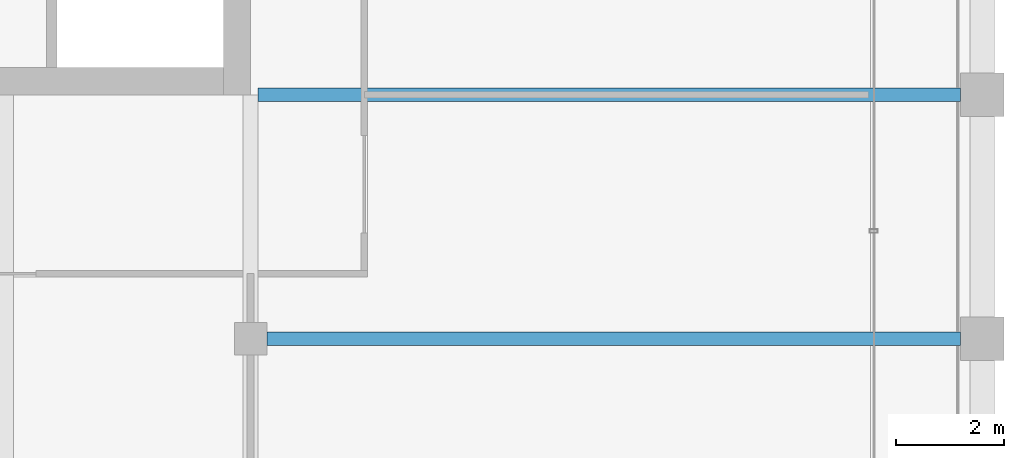
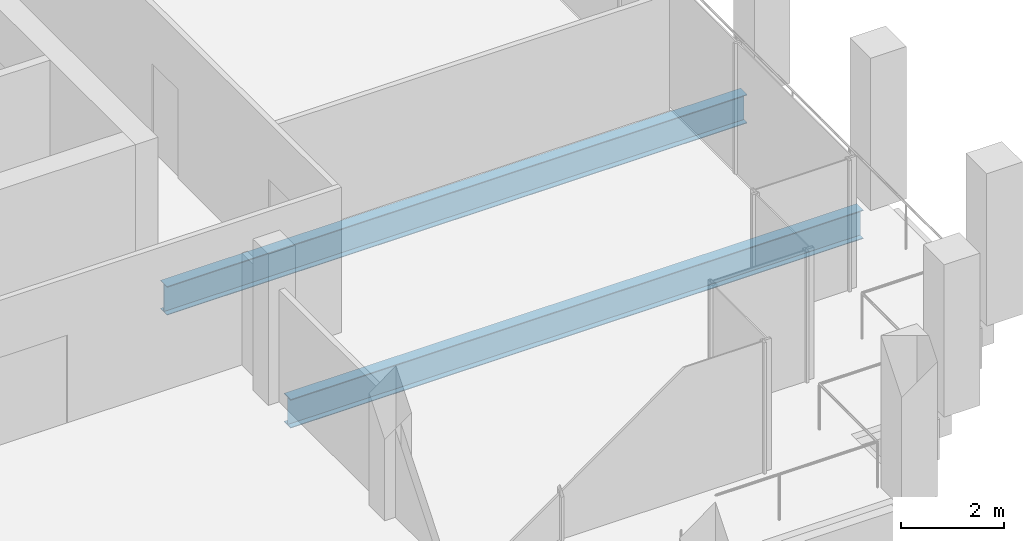
# One storey, part 14 of 30: 2 beams.
"""IFC4 building model written with IfcOpenShell, lengths in metres."""

import ifcopenshell
import ifcopenshell.guid

model = None  # the IFC model being written
_history = None  # IfcOwnerHistory: only IFC2X3 demands one
_inside = {}  # id of a spatial element -> (the spatial element, [elements in it])
_under = {}  # id of a project, library or spatial element -> (it, [spatial elements below it])
_declared = {}  # id of a project -> (the project, [libraries it declares])
_typed = {}  # id of a type object -> (the type object, [elements of that type])
_made_of = {}  # id of a material, layer set ... -> (it, [elements and type objects made of it])


def new_model(schema):
    """Start an empty IFC model of exactly this schema.

    Asked for "IFC4X3", IfcOpenShell would pick the latest addendum, in which some entities
    have other attributes; the version numbers below select the first issue.
    IFC2X3 requires an IfcOwnerHistory on every rooted entity: one is made here for all.
    """
    global model, _history
    if schema == "IFC4X3":
        model = ifcopenshell.file(schema_version=(4, 3, 0, 0))
    else:
        model = ifcopenshell.file(schema=schema)
    _inside.clear()
    _under.clear()
    _declared.clear()
    _typed.clear()
    _made_of.clear()
    _history = None
    if model.schema == "IFC2X3":
        org = make("IfcOrganization", Name="unknown")
        user = make(
            "IfcPersonAndOrganization",
            ThePerson=make("IfcPerson", FamilyName="unknown"),
            TheOrganization=org,
        )
        app = make(
            "IfcApplication",
            ApplicationDeveloper=org,
            Version="unknown",
            ApplicationFullName="unknown",
            ApplicationIdentifier="unknown",
        )
        _history = make(
            "IfcOwnerHistory",
            OwningUser=user,
            OwningApplication=app,
            ChangeAction="ADDED",
            CreationDate=0,
        )
    return model


def make(cls, **values):
    """One entity of the class cls with the attributes given. An attribute that is None is left unset."""
    return model.create_entity(
        cls, **{name: value for name, value in values.items() if value is not None}
    )


def rooted(cls, **values):
    """An entity with a GlobalId (a new one), such as an element, a storey or a relation."""
    return make(cls, GlobalId=ifcopenshell.guid.new(), OwnerHistory=_history, **values)


def si_unit(unit_type, name, prefix=None):
    """IfcSIUnit, for example si_unit("LENGTHUNIT", "METRE", prefix="MILLI")."""
    return make("IfcSIUnit", UnitType=unit_type, Prefix=prefix, Name=name)


def assignment(units):
    """IfcUnitAssignment: the units of a project."""
    return None if units is None else make("IfcUnitAssignment", Units=units)


def point(xyz):
    """IfcCartesianPoint."""
    return None if xyz is None else make("IfcCartesianPoint", Coordinates=xyz)


def direction(xyz):
    """IfcDirection."""
    return None if xyz is None else make("IfcDirection", DirectionRatios=xyz)


def frame(location, z_axis=None, x_axis=None):
    """IfcAxis2Placement3D, a coordinate frame: its origin and axes. An axis left out is left unset."""
    return make(
        "IfcAxis2Placement3D",
        Location=point(location),
        Axis=direction(z_axis),
        RefDirection=direction(x_axis),
    )


def frame_2d(location, x_axis=None):
    """IfcAxis2Placement2D, a coordinate frame in the plane: its origin and x axis."""
    return make(
        "IfcAxis2Placement2D", Location=point(location), RefDirection=direction(x_axis)
    )


def origin():
    """The frame at (0, 0, 0) with its axes left unset."""
    return frame((0.0, 0.0, 0.0))


def origin_2d():
    """The frame at (0, 0) in the plane with its x axis left unset."""
    return frame_2d((0.0, 0.0))


def place(relative_to, where):
    """IfcLocalPlacement: puts the frame where relative to a parent placement (None: the world)."""
    return make(
        "IfcLocalPlacement", PlacementRelTo=relative_to, RelativePlacement=where
    )


def context(
    kind, dimensions, precision=None, world=None, true_north=None, identifier=None
):
    """IfcGeometricRepresentationContext, for example the 3D "Model" context."""
    return make(
        "IfcGeometricRepresentationContext",
        ContextIdentifier=identifier,
        ContextType=kind,
        CoordinateSpaceDimension=dimensions,
        Precision=precision,
        WorldCoordinateSystem=world,
        TrueNorth=true_north,
    )


def subcontext(parent, identifier, kind, view, scale=None):
    """IfcGeometricRepresentationSubContext, for example "Body" below "Model"."""
    return make(
        "IfcGeometricRepresentationSubContext",
        ContextIdentifier=identifier,
        ContextType=kind,
        ParentContext=parent,
        TargetScale=scale,
        TargetView=view,
    )


def project(units=None, contexts=None):
    """IfcProject with its units and contexts."""
    return rooted(
        "IfcProject",
        Name="project",
        RepresentationContexts=contexts,
        UnitsInContext=assignment(units),
    )


def spatial(cls, under=None, at=None, **own):
    """A site, building, storey or space (cls), placed at a placement, below another one or the project."""
    s = rooted(cls, ObjectPlacement=at, **own)
    if under is not None:
        _under.setdefault(under.id(), (under, []))[1].append(s)
    return s


def profile(cls, at=None, kind="AREA", **sizes):
    """A parametric profile (cls). Its sizes go by their IFC names, for example OverallWidth=200.0."""
    return make(cls, ProfileType=kind, Position=at, **sizes)


def i_section(**sizes):
    """IfcIShapeProfileDef."""
    return profile("IfcIShapeProfileDef", **sizes)


def extrude(swept, where, along, depth):
    """IfcExtrudedAreaSolid: the profile swept, set in the frame where, extruded along a direction by depth."""
    return make(
        "IfcExtrudedAreaSolid",
        SweptArea=swept,
        Position=where,
        ExtrudedDirection=direction(along),
        Depth=depth,
    )


def shape(context_of_items, identifier, shape_type, items):
    """IfcShapeRepresentation: the items that make up one representation, for example the "Body"."""
    return make(
        "IfcShapeRepresentation",
        ContextOfItems=context_of_items,
        RepresentationIdentifier=identifier,
        RepresentationType=shape_type,
        Items=items,
    )


def material(Name=None, Category=None):
    """IfcMaterial."""
    return make("IfcMaterial", Name=Name, Category=Category)


def material_profile(
    of_material, cross_section, Name=None, Category=None, Priority=None
):
    """IfcMaterialProfile: a cross section and its material."""
    return make(
        "IfcMaterialProfile",
        Name=Name,
        Material=of_material,
        Profile=cross_section,
        Priority=Priority,
        Category=Category,
    )


def profile_set(profiles, Name=None, composite=None):
    """IfcMaterialProfileSet."""
    return make(
        "IfcMaterialProfileSet",
        Name=Name,
        MaterialProfiles=profiles,
        CompositeProfile=composite,
    )


def made_of(thing, what):
    """Note that an element or type object is made of a material, layer set ...; save() writes the relation."""
    if what is not None:
        _made_of.setdefault(what.id(), (what, []))[1].append(thing)
    return thing


def type_object(cls, material=None, **own):
    """A type object (cls), such as IfcWallType, which elements share."""
    return made_of(rooted(cls, **own), material)


def element(
    cls,
    number,
    at=None,
    inside=None,
    cuts=None,
    type_object=None,
    material=None,
    context=None,
    identifier="Body",
    shape_type=None,
    held_by="IfcProductDefinitionShape",
    body=None,
    shapes=None,
    **own,
):
    """One element of the class cls, such as IfcWall. Its Tag is "e" and its number.

    at: its placement. inside: the storey or other place that contains it. cuts: it is an
    opening in that element (IfcRelVoidsElement). A single representation is given by context,
    identifier, shape_type and body (its items); several are given by shapes. held_by: the class
    of the entity that holds the representations. save() writes the other relations.
    """
    e = rooted(cls, Tag="e%d" % number, ObjectPlacement=at, **own)
    if body is not None:
        shapes = [shape(context, identifier, shape_type, body)]
    if shapes is not None:
        e.Representation = make(held_by, Representations=shapes)
    if inside is not None:
        _inside.setdefault(inside.id(), (inside, []))[1].append(e)
    if cuts is not None:
        rooted(
            "IfcRelVoidsElement", RelatingBuildingElement=cuts, RelatedOpeningElement=e
        )
    if type_object is not None:
        _typed.setdefault(type_object.id(), (type_object, []))[1].append(e)
    return made_of(e, material)


def aggregate(whole, parts):
    """IfcRelAggregates: a whole, such as a stair, and the parts it consists of."""
    return rooted("IfcRelAggregates", RelatingObject=whole, RelatedObjects=parts)


def save(model, path):
    """Write the relations noted so far, then the file.

    IfcRelAggregates (storeys below a building ...), IfcRelContainedInSpatialStructure (elements
    in a storey), IfcRelDefinesByType, IfcRelAssociatesMaterial and IfcRelDeclares: one each for
    every whole, place, type object, material and project.
    """
    for whole, parts in _under.values():
        aggregate(whole, parts)
    for where, things in _inside.values():
        rooted(
            "IfcRelContainedInSpatialStructure",
            RelatedElements=things,
            RelatingStructure=where,
        )
    for kind, things in _typed.values():
        rooted("IfcRelDefinesByType", RelatedObjects=things, RelatingType=kind)
    for what, things in _made_of.values():
        rooted("IfcRelAssociatesMaterial", RelatedObjects=things, RelatingMaterial=what)
    for by, libraries in _declared.values():
        rooted("IfcRelDeclares", RelatingContext=by, RelatedDefinitions=libraries)
    model.write(path)


model = new_model("IFC4")

# Units and contexts
model_context = context("Model", 3, precision=1e-05, world=origin(), true_north=direction((0.0, 1.0)))
body_context = subcontext(model_context, "Body", "Model", "MODEL_VIEW")
ifc_project = project(units=[si_unit("LENGTHUNIT", "METRE"), si_unit("AREAUNIT", "SQUARE_METRE"), si_unit("VOLUMEUNIT", "CUBIC_METRE"), si_unit("PLANEANGLEUNIT", "RADIAN"), si_unit("MASSUNIT", "GRAM", prefix="KILO")], contexts=[model_context])

# Site, building, storey
site_placement = place(None, origin())
site = spatial("IfcSite", under=ifc_project, at=site_placement, CompositionType="ELEMENT")
building_placement = place(site_placement, origin())
building = spatial("IfcBuilding", under=site, at=building_placement, Name="Altepetl Exchange Towers", CompositionType="ELEMENT")
storey_placement = place(building_placement, frame((0.0, 0.0, 228.0)))
storey = spatial("IfcBuildingStorey", under=building, at=storey_placement, Name="L58", CompositionType="ELEMENT", Elevation=228.0)

# Beams
ifc_material = material(Name="Steel S355", Category="steel")
ifc_material_profile = material_profile(ifc_material, i_section(OverallWidth=0.2529296875, OverallDepth=0.677978515625, WebThickness=0.01171875, FlangeThickness=0.016357421875, at=origin_2d()), Name="W27X84")
ifc_profile_set = profile_set([ifc_material_profile], Name="Steel S355")
beam_type = type_object("IfcBeamType", Name="Floor beam W27X84", PredefinedType="BEAM", material=ifc_profile_set)
beam_1_placement = place(storey_placement, frame((58.800048828125, 36.0, -0.489013671875), z_axis=(1.0, 0.0, 0.0), x_axis=(0.0, 1.0, 0.0)))
element("IfcBeam", 1, at=beam_1_placement, inside=storey, type_object=beam_type, Name="bm:A:L58:007", PredefinedType="BEAM", context=body_context, shape_type="SweptSolid", body=[
    extrude(i_section(OverallWidth=0.2529296875, OverallDepth=0.677978515625, WebThickness=0.01171875, FlangeThickness=0.016357421875, at=origin_2d()), origin(), (0.0, 0.0, 1.0), 12.800048828125),
])
beam_2_placement = place(storey_placement, frame((58.634033203125, 40.5, -0.489013671875), z_axis=(1.0, 0.0, 0.0), x_axis=(0.0, 1.0, 0.0)))
element("IfcBeam", 2, at=beam_2_placement, inside=storey, type_object=beam_type, Name="bm:A:L58:008", PredefinedType="BEAM", context=body_context, shape_type="SweptSolid", body=[
    extrude(i_section(OverallWidth=0.2529296875, OverallDepth=0.677978515625, WebThickness=0.01171875, FlangeThickness=0.016357421875, at=origin_2d()), origin(), (0.0, 0.0, 1.0), 12.966064453125),
])

save(model, "model.ifc")
